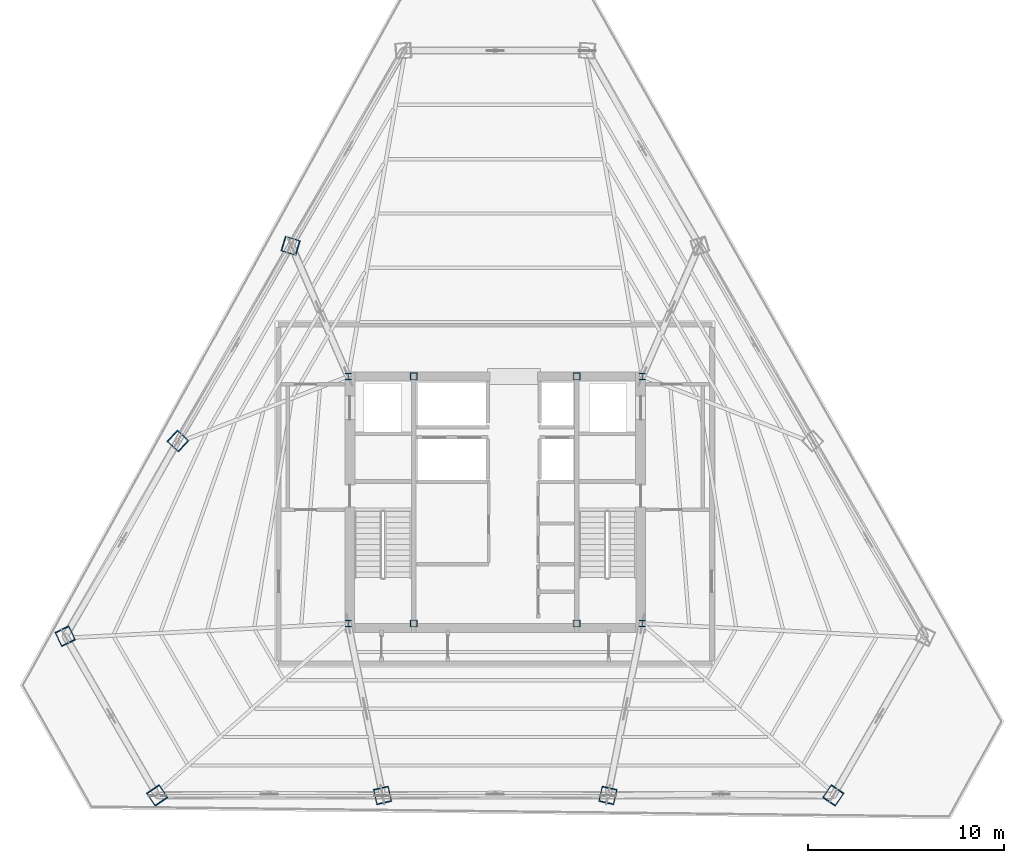
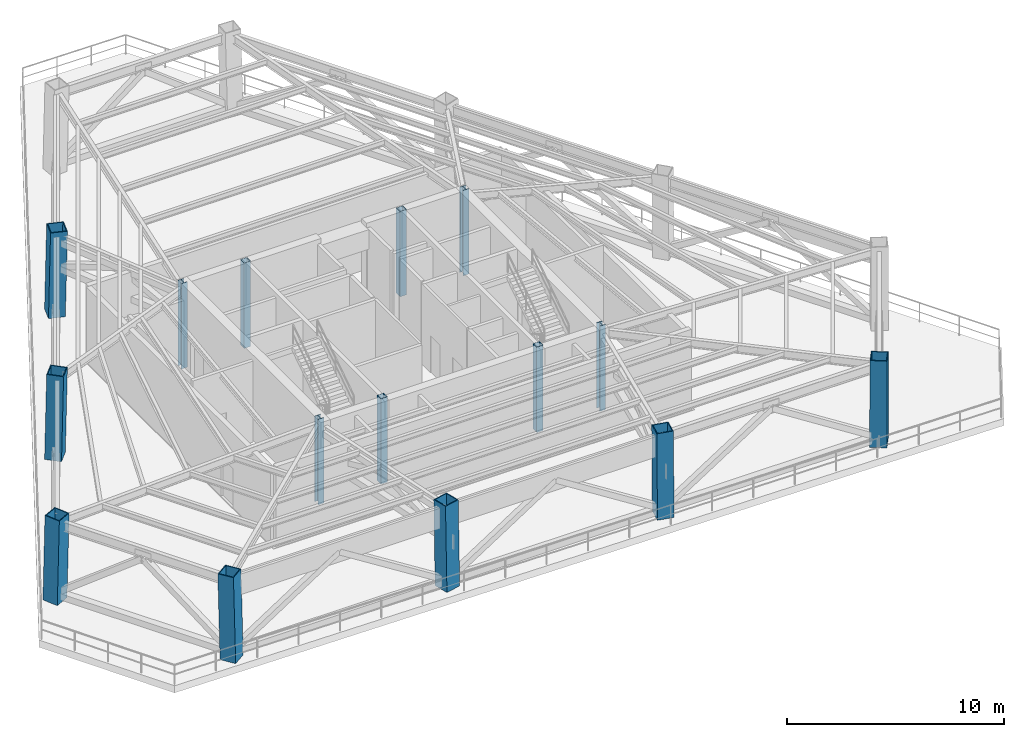
# One storey, part 1 of 10: 15 columns.
"""IFC4 building model written with IfcOpenShell, lengths in metres."""

import ifcopenshell
import ifcopenshell.guid

model = None  # the IFC model being written
_history = None  # IfcOwnerHistory: only IFC2X3 demands one
_inside = {}  # id of a spatial element -> (the spatial element, [elements in it])
_under = {}  # id of a project, library or spatial element -> (it, [spatial elements below it])
_declared = {}  # id of a project -> (the project, [libraries it declares])
_typed = {}  # id of a type object -> (the type object, [elements of that type])
_made_of = {}  # id of a material, layer set ... -> (it, [elements and type objects made of it])


def new_model(schema):
    """Start an empty IFC model of exactly this schema.

    Asked for "IFC4X3", IfcOpenShell would pick the latest addendum, in which some entities
    have other attributes; the version numbers below select the first issue.
    IFC2X3 requires an IfcOwnerHistory on every rooted entity: one is made here for all.
    """
    global model, _history
    if schema == "IFC4X3":
        model = ifcopenshell.file(schema_version=(4, 3, 0, 0))
    else:
        model = ifcopenshell.file(schema=schema)
    _inside.clear()
    _under.clear()
    _declared.clear()
    _typed.clear()
    _made_of.clear()
    _history = None
    if model.schema == "IFC2X3":
        org = make("IfcOrganization", Name="unknown")
        user = make(
            "IfcPersonAndOrganization",
            ThePerson=make("IfcPerson", FamilyName="unknown"),
            TheOrganization=org,
        )
        app = make(
            "IfcApplication",
            ApplicationDeveloper=org,
            Version="unknown",
            ApplicationFullName="unknown",
            ApplicationIdentifier="unknown",
        )
        _history = make(
            "IfcOwnerHistory",
            OwningUser=user,
            OwningApplication=app,
            ChangeAction="ADDED",
            CreationDate=0,
        )
    return model


def make(cls, **values):
    """One entity of the class cls with the attributes given. An attribute that is None is left unset."""
    return model.create_entity(
        cls, **{name: value for name, value in values.items() if value is not None}
    )


def rooted(cls, **values):
    """An entity with a GlobalId (a new one), such as an element, a storey or a relation."""
    return make(cls, GlobalId=ifcopenshell.guid.new(), OwnerHistory=_history, **values)


def si_unit(unit_type, name, prefix=None):
    """IfcSIUnit, for example si_unit("LENGTHUNIT", "METRE", prefix="MILLI")."""
    return make("IfcSIUnit", UnitType=unit_type, Prefix=prefix, Name=name)


def assignment(units):
    """IfcUnitAssignment: the units of a project."""
    return None if units is None else make("IfcUnitAssignment", Units=units)


def point(xyz):
    """IfcCartesianPoint."""
    return None if xyz is None else make("IfcCartesianPoint", Coordinates=xyz)


def direction(xyz):
    """IfcDirection."""
    return None if xyz is None else make("IfcDirection", DirectionRatios=xyz)


def frame(location, z_axis=None, x_axis=None):
    """IfcAxis2Placement3D, a coordinate frame: its origin and axes. An axis left out is left unset."""
    return make(
        "IfcAxis2Placement3D",
        Location=point(location),
        Axis=direction(z_axis),
        RefDirection=direction(x_axis),
    )


def frame_2d(location, x_axis=None):
    """IfcAxis2Placement2D, a coordinate frame in the plane: its origin and x axis."""
    return make(
        "IfcAxis2Placement2D", Location=point(location), RefDirection=direction(x_axis)
    )


def origin():
    """The frame at (0, 0, 0) with its axes left unset."""
    return frame((0.0, 0.0, 0.0))


def origin_2d():
    """The frame at (0, 0) in the plane with its x axis left unset."""
    return frame_2d((0.0, 0.0))


def place(relative_to, where):
    """IfcLocalPlacement: puts the frame where relative to a parent placement (None: the world)."""
    return make(
        "IfcLocalPlacement", PlacementRelTo=relative_to, RelativePlacement=where
    )


def context(
    kind, dimensions, precision=None, world=None, true_north=None, identifier=None
):
    """IfcGeometricRepresentationContext, for example the 3D "Model" context."""
    return make(
        "IfcGeometricRepresentationContext",
        ContextIdentifier=identifier,
        ContextType=kind,
        CoordinateSpaceDimension=dimensions,
        Precision=precision,
        WorldCoordinateSystem=world,
        TrueNorth=true_north,
    )


def subcontext(parent, identifier, kind, view, scale=None):
    """IfcGeometricRepresentationSubContext, for example "Body" below "Model"."""
    return make(
        "IfcGeometricRepresentationSubContext",
        ContextIdentifier=identifier,
        ContextType=kind,
        ParentContext=parent,
        TargetScale=scale,
        TargetView=view,
    )


def project(units=None, contexts=None):
    """IfcProject with its units and contexts."""
    return rooted(
        "IfcProject",
        Name="project",
        RepresentationContexts=contexts,
        UnitsInContext=assignment(units),
    )


def spatial(cls, under=None, at=None, **own):
    """A site, building, storey or space (cls), placed at a placement, below another one or the project."""
    s = rooted(cls, ObjectPlacement=at, **own)
    if under is not None:
        _under.setdefault(under.id(), (under, []))[1].append(s)
    return s


def profile(cls, at=None, kind="AREA", **sizes):
    """A parametric profile (cls). Its sizes go by their IFC names, for example OverallWidth=200.0."""
    return make(cls, ProfileType=kind, Position=at, **sizes)


def hollow_rectangle(**sizes):
    """IfcRectangleHollowProfileDef."""
    return profile("IfcRectangleHollowProfileDef", **sizes)


def i_section(**sizes):
    """IfcIShapeProfileDef."""
    return profile("IfcIShapeProfileDef", **sizes)


def extrude(swept, where, along, depth):
    """IfcExtrudedAreaSolid: the profile swept, set in the frame where, extruded along a direction by depth."""
    return make(
        "IfcExtrudedAreaSolid",
        SweptArea=swept,
        Position=where,
        ExtrudedDirection=direction(along),
        Depth=depth,
    )


def shape(context_of_items, identifier, shape_type, items):
    """IfcShapeRepresentation: the items that make up one representation, for example the "Body"."""
    return make(
        "IfcShapeRepresentation",
        ContextOfItems=context_of_items,
        RepresentationIdentifier=identifier,
        RepresentationType=shape_type,
        Items=items,
    )


def source(mapping_origin, context_of_items, identifier, shape_type, items):
    """IfcRepresentationMap: a shape defined once, which mapped items show again and again."""
    return make(
        "IfcRepresentationMap",
        MappingOrigin=mapping_origin,
        MappedRepresentation=shape(context_of_items, identifier, shape_type, items),
    )


def transform(
    local_origin,
    x_axis=None,
    y_axis=None,
    z_axis=None,
    scale=None,
    scale2=None,
    scale3=None,
    uniform=True,
):
    """IfcCartesianTransformationOperator3D, or its non-uniform kind. x_axis, y_axis, z_axis: its Axis1, 2, 3."""
    if uniform:
        return make(
            "IfcCartesianTransformationOperator3D",
            Axis1=direction(x_axis),
            Axis2=direction(y_axis),
            LocalOrigin=point(local_origin),
            Scale=scale,
            Axis3=direction(z_axis),
        )
    return make(
        "IfcCartesianTransformationOperator3DnonUniform",
        Axis1=direction(x_axis),
        Axis2=direction(y_axis),
        LocalOrigin=point(local_origin),
        Scale=scale,
        Axis3=direction(z_axis),
        Scale2=scale2,
        Scale3=scale3,
    )


def mapped(mapping_source, mapping_target):
    """IfcMappedItem: shows the shape of a source again, moved by a transform."""
    return make(
        "IfcMappedItem", MappingSource=mapping_source, MappingTarget=mapping_target
    )


def material(Name=None, Category=None):
    """IfcMaterial."""
    return make("IfcMaterial", Name=Name, Category=Category)


def material_profile(
    of_material, cross_section, Name=None, Category=None, Priority=None
):
    """IfcMaterialProfile: a cross section and its material."""
    return make(
        "IfcMaterialProfile",
        Name=Name,
        Material=of_material,
        Profile=cross_section,
        Priority=Priority,
        Category=Category,
    )


def profile_set(profiles, Name=None, composite=None):
    """IfcMaterialProfileSet."""
    return make(
        "IfcMaterialProfileSet",
        Name=Name,
        MaterialProfiles=profiles,
        CompositeProfile=composite,
    )


def made_of(thing, what):
    """Note that an element or type object is made of a material, layer set ...; save() writes the relation."""
    if what is not None:
        _made_of.setdefault(what.id(), (what, []))[1].append(thing)
    return thing


def type_object(cls, material=None, **own):
    """A type object (cls), such as IfcWallType, which elements share."""
    return made_of(rooted(cls, **own), material)


def type_shapes(of_type, sources):
    """Give a type object the sources (RepresentationMaps) that its elements show as mapped items."""
    of_type.RepresentationMaps = sources


def element(
    cls,
    number,
    at=None,
    inside=None,
    cuts=None,
    type_object=None,
    material=None,
    context=None,
    identifier="Body",
    shape_type=None,
    held_by="IfcProductDefinitionShape",
    body=None,
    shapes=None,
    **own,
):
    """One element of the class cls, such as IfcWall. Its Tag is "e" and its number.

    at: its placement. inside: the storey or other place that contains it. cuts: it is an
    opening in that element (IfcRelVoidsElement). A single representation is given by context,
    identifier, shape_type and body (its items); several are given by shapes. held_by: the class
    of the entity that holds the representations. save() writes the other relations.
    """
    e = rooted(cls, Tag="e%d" % number, ObjectPlacement=at, **own)
    if body is not None:
        shapes = [shape(context, identifier, shape_type, body)]
    if shapes is not None:
        e.Representation = make(held_by, Representations=shapes)
    if inside is not None:
        _inside.setdefault(inside.id(), (inside, []))[1].append(e)
    if cuts is not None:
        rooted(
            "IfcRelVoidsElement", RelatingBuildingElement=cuts, RelatedOpeningElement=e
        )
    if type_object is not None:
        _typed.setdefault(type_object.id(), (type_object, []))[1].append(e)
    return made_of(e, material)


def aggregate(whole, parts):
    """IfcRelAggregates: a whole, such as a stair, and the parts it consists of."""
    return rooted("IfcRelAggregates", RelatingObject=whole, RelatedObjects=parts)


def save(model, path):
    """Write the relations noted so far, then the file.

    IfcRelAggregates (storeys below a building ...), IfcRelContainedInSpatialStructure (elements
    in a storey), IfcRelDefinesByType, IfcRelAssociatesMaterial and IfcRelDeclares: one each for
    every whole, place, type object, material and project.
    """
    for whole, parts in _under.values():
        aggregate(whole, parts)
    for where, things in _inside.values():
        rooted(
            "IfcRelContainedInSpatialStructure",
            RelatedElements=things,
            RelatingStructure=where,
        )
    for kind, things in _typed.values():
        rooted("IfcRelDefinesByType", RelatedObjects=things, RelatingType=kind)
    for what, things in _made_of.values():
        rooted("IfcRelAssociatesMaterial", RelatedObjects=things, RelatingMaterial=what)
    for by, libraries in _declared.values():
        rooted("IfcRelDeclares", RelatingContext=by, RelatedDefinitions=libraries)
    model.write(path)


model = new_model("IFC4")

# Units and contexts
model_context = context("Model", 3, precision=1e-05, world=origin(), true_north=direction((0.0, 1.0)))
body_context = subcontext(model_context, "Body", "Model", "MODEL_VIEW")
ifc_project = project(units=[si_unit("LENGTHUNIT", "METRE"), si_unit("AREAUNIT", "SQUARE_METRE"), si_unit("VOLUMEUNIT", "CUBIC_METRE"), si_unit("PLANEANGLEUNIT", "RADIAN"), si_unit("MASSUNIT", "GRAM", prefix="KILO")], contexts=[model_context])

# Site, building, storey
site_placement = place(None, origin())
site = spatial("IfcSite", under=ifc_project, at=site_placement, CompositionType="ELEMENT")
building_placement = place(site_placement, origin())
building = spatial("IfcBuilding", under=site, at=building_placement, Name="Caelisora Broadcast Tower", CompositionType="ELEMENT")
storey_placement = place(building_placement, frame((0.0, 0.0, 220.550048828125)))
storey = spatial("IfcBuildingStorey", under=building, at=storey_placement, Name="L58", CompositionType="ELEMENT", Elevation=220.550048828125)

# Columns
ifc_material_1 = material(Name="Steel Grade 350 (AS/NZS 3679.1)", Category="steel")
ifc_material_profile_1 = material_profile(ifc_material_1, i_section(OverallWidth=0.31103515625, OverallDepth=0.3271484375, WebThickness=0.015625, FlangeThickness=0.02490234375, at=origin_2d()), Name="Steel Grade 350 (AS/NZS 3679.1)")
ifc_profile_set_1 = profile_set([ifc_material_profile_1], Name="Steel Grade 350 (AS/NZS 3679.1)")
column_type_1 = type_object("IfcColumnType", Name="CC03", PredefinedType="COLUMN", material=ifc_profile_set_1)
shared_shape_1 = source(origin(), body_context, "Body", "SweptSolid", [
    extrude(i_section(OverallWidth=0.31103515625, OverallDepth=0.3271484375, WebThickness=0.015625, FlangeThickness=0.02490234375, at=origin_2d()), origin(), (0.0, 0.0, 1.0), 4.800048828125),
])
type_shapes(column_type_1, [shared_shape_1])
for number, where, z_axis, x_axis, name in (
    (1, (30.5, 17.39990234375, 0.0), (0.0, 0.0, 1.0), (1.0, 0.0, 0.0), "L58 column CC03"),
    (2, (45.5, 17.39990234375, 0.0), (0.0, 0.0, 1.0), (1.0, 0.0, 0.0), "L58 column CC03"),
    (3, (45.5, 30.0, 0.0), (0.0, 0.0, 1.0), (1.0, 0.0, 0.0), "L58 column CC03"),
    (4, (30.5, 30.0, 0.0), (0.0, 0.0, 1.0), (1.0, 0.0, 0.0), "L58 column CC03"),
):
    element("IfcColumn", number, at=place(storey_placement, frame(where, z_axis=z_axis, x_axis=x_axis)), inside=storey, type_object=column_type_1, Name=name, PredefinedType="COLUMN", context=body_context, shape_type="MappedRepresentation", body=[
        mapped(shared_shape_1, transform((0.0, 0.0, 0.0), scale=1.0)),
    ])
ifc_material_2 = material(Name="Steel Grade 350 (AS/NZS 1163 C350L0)", Category="steel")
ifc_material_profile_2 = material_profile(ifc_material_2, hollow_rectangle(XDim=0.35009765625, YDim=0.35009765625, WallThickness=0.01611328125, at=origin_2d()), Name="Steel Grade 350 (AS/NZS 1163 C350L0)")
ifc_profile_set_2 = profile_set([ifc_material_profile_2], Name="Steel Grade 350 (AS/NZS 1163 C350L0)")
column_type_2 = type_object("IfcColumnType", Name="CC07", PredefinedType="COLUMN", material=ifc_profile_set_2)
shared_shape_2 = source(origin(), body_context, "Body", "SweptSolid", [
    extrude(hollow_rectangle(XDim=0.35009765625, YDim=0.35009765625, WallThickness=0.01611328125, at=origin_2d()), origin(), (0.0, 0.0, 1.0), 4.800048828125),
])
type_shapes(column_type_2, [shared_shape_2])
for number, where, z_axis, x_axis, name in (
    (5, (33.85009765625, 17.39990234375, 0.0), (0.0, 0.0, 1.0), (1.0, 0.0, 0.0), "L58 column CC07"),
    (6, (42.14990234375, 17.39990234375, 0.0), (0.0, 0.0, 1.0), (1.0, 0.0, 0.0), "L58 column CC07"),
    (7, (33.85009765625, 30.0, 0.0), (0.0, 0.0, 1.0), (1.0, 0.0, 0.0), "L58 column CC07"),
    (8, (42.14990234375, 30.0, 0.0), (0.0, 0.0, 1.0), (1.0, 0.0, 0.0), "L58 column CC07"),
):
    element("IfcColumn", number, at=place(storey_placement, frame(where, z_axis=z_axis, x_axis=x_axis)), inside=storey, type_object=column_type_2, Name=name, PredefinedType="COLUMN", context=body_context, shape_type="MappedRepresentation", body=[
        mapped(shared_shape_2, transform((0.0, 0.0, 0.0), scale=1.0)),
    ])
ifc_material_3 = material(Name="Steel Grade 350 L15 (AS/NZS 3678)", Category="steel")
ifc_material_profile_3 = material_profile(ifc_material_3, hollow_rectangle(XDim=0.800048828125, YDim=0.800048828125, WallThickness=0.044921875, at=origin_2d()), Name="Steel Grade 350 L15 (AS/NZS 3678)")
ifc_profile_set_3 = profile_set([ifc_material_profile_3], Name="Steel Grade 350 L15 (AS/NZS 3678)")
column_type_3 = type_object("IfcColumnType", Name="MC05", PredefinedType="COLUMN", material=ifc_profile_set_3)
shared_shape_3 = source(origin(), body_context, "Body", "SweptSolid", [
    extrude(hollow_rectangle(XDim=0.800048828125, YDim=0.800048828125, WallThickness=0.044921875, at=origin_2d()), origin(), (0.0, 0.0, 1.0), 4.801513671875),
])
for number, where, z_axis, x_axis, name in (
    (9, (16.066650390625, 16.7666015625, 0.0), (0.01042374304, -0.021559351459, 0.999713228854), (0.900293483537, 0.435283405956, 0.0), "L58 column MC05"),
    (10, (20.76904296875, 8.621826171875, 0.0), (-0.013474599104, 0.019779694533, 0.999713558407), (-0.826452018452, -0.563007159099, 0.0), "L58 column MC05"),
    (11, (55.23095703125, 8.621826171875, 0.0), (0.013474599104, 0.019779694533, 0.999713558407), (-0.826452018452, 0.563007159099, 0.0), "L58 column MC05"),
):
    element("IfcColumn", number, at=place(storey_placement, frame(where, z_axis=z_axis, x_axis=x_axis)), inside=storey, type_object=column_type_3, Name=name, PredefinedType="COLUMN", context=body_context, shape_type="MappedRepresentation", body=[
        mapped(shared_shape_3, transform((0.0, 0.0, 0.0), scale=1.0)),
    ])
shared_shape_4 = source(origin(), body_context, "Body", "SweptSolid", [
    extrude(hollow_rectangle(XDim=0.800048828125, YDim=0.800048828125, WallThickness=0.044921875, at=origin_2d()), origin(), (0.0, 0.0, 1.0), 4.801025390625),
])
type_shapes(column_type_3, [shared_shape_3, shared_shape_4])
for number, where, z_axis, x_axis, name in (
    (12, (27.553955078125, 36.6630859375, 0.0), (0.019425317039, -0.005949638988, 0.999793608128), (0.292854385194, 0.956157052514, 0.0), "L58 column MC05"),
    (13, (21.810302734375, 26.71484375, 0.0), (0.014899529501, -0.013780793498, 0.999794025663), (0.679008224545, 0.734130663438, 0.0), "L58 column MC05"),
    (14, (32.25634765625, 8.621826171875, 0.0), (-0.004474945316, 0.019781292362, 0.999794316516), (-0.975354038261, -0.220645643617, 0.0), "L58 column MC05"),
    (15, (43.74365234375, 8.621826171875, 0.0), (0.004474945316, 0.019781292362, 0.999794316516), (-0.975354038261, 0.220645643617, 0.0), "L58 column MC05"),
):
    element("IfcColumn", number, at=place(storey_placement, frame(where, z_axis=z_axis, x_axis=x_axis)), inside=storey, type_object=column_type_3, Name=name, PredefinedType="COLUMN", context=body_context, shape_type="MappedRepresentation", body=[
        mapped(shared_shape_4, transform((0.0, 0.0, 0.0), scale=1.0)),
    ])

save(model, "model.ifc")
